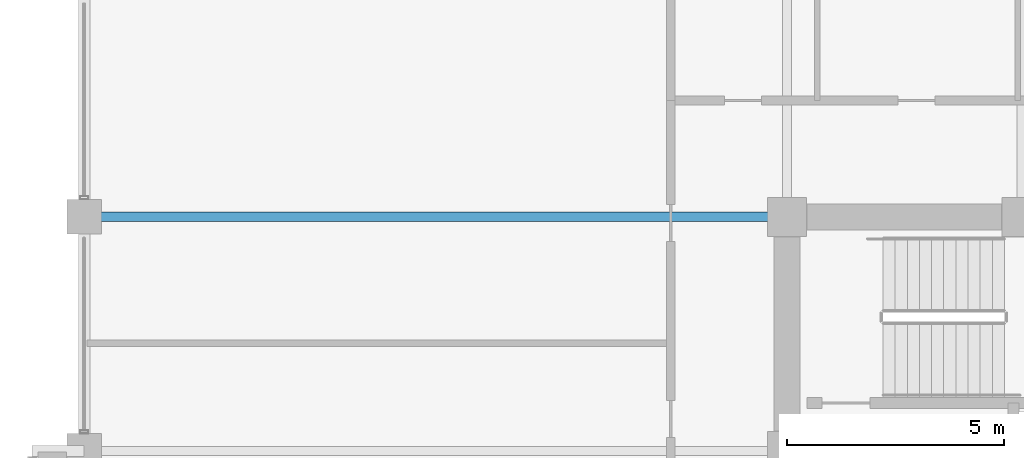
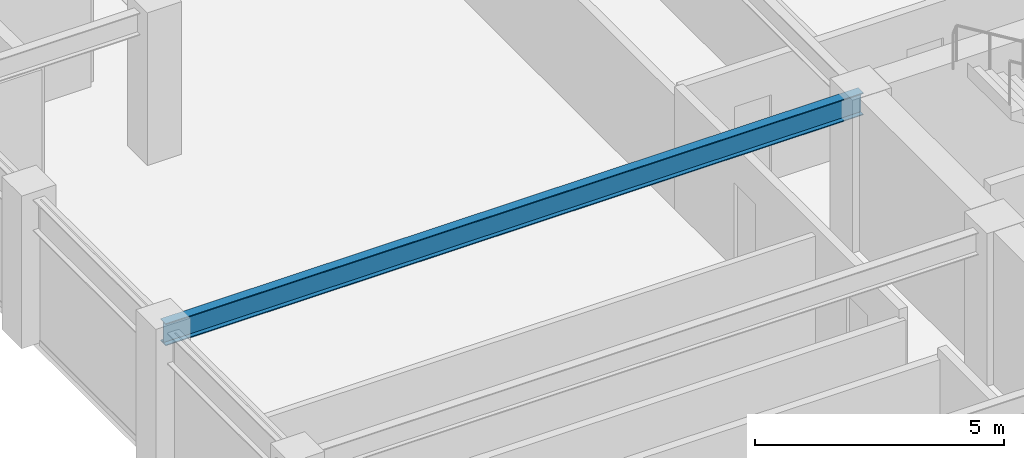
# One storey, part 17 of 32: 1 beam.
"""IFC4 building model written with IfcOpenShell, lengths in metres."""

from ifc_helpers import new_model, si_unit, direction, frame, origin, origin_2d, place, context, subcontext, project, spatial, i_section, extrude, material, material_profile, profile_set, type_object, element, save


model = new_model("IFC4")

# Units and contexts
model_context = context("Model", 3, precision=1e-05, world=origin(), true_north=direction((0.0, 1.0)))
body_context = subcontext(model_context, "Body", "Model", "MODEL_VIEW")
ifc_project = project(units=[si_unit("LENGTHUNIT", "METRE"), si_unit("AREAUNIT", "SQUARE_METRE"), si_unit("VOLUMEUNIT", "CUBIC_METRE"), si_unit("PLANEANGLEUNIT", "RADIAN"), si_unit("MASSUNIT", "GRAM", prefix="KILO")], contexts=[model_context])

# Site, building, storey
site_placement = place(None, origin())
site = spatial("IfcSite", under=ifc_project, at=site_placement, CompositionType="ELEMENT")
building_placement = place(site_placement, origin())
building = spatial("IfcBuilding", under=site, at=building_placement, Name="Surkhivell Harbour Commons", CompositionType="ELEMENT")
storey_placement = place(building_placement, frame((0.0, 0.0, 234.75)))
storey = spatial("IfcBuildingStorey", under=building, at=storey_placement, Name="L61", CompositionType="ELEMENT", Elevation=234.75)

# Beam
ifc_material = material(Name="Steel S355", Category="steel")
ifc_material_profile = material_profile(ifc_material, i_section(OverallWidth=0.2119140625, OverallDepth=0.5439453125, WebThickness=0.0126953125, FlangeThickness=0.021240234375, at=origin_2d()), Name="UB533x210x122")
ifc_profile_set = profile_set([ifc_material_profile], Name="Steel S355")
beam_type = type_object("IfcBeamType", Name="BM-GRD-533A", PredefinedType="BEAM", material=ifc_profile_set)
beam_placement = place(storey_placement, frame((-27.0, 10.800048828125, 3.298095703125), z_axis=(1.0, 0.0, 0.0), x_axis=(0.0, 1.0, 0.0)))
element("IfcBeam", 1, at=beam_placement, inside=storey, type_object=beam_type, Name="L61 Floor Girder (-27.0,10.8)", PredefinedType="BEAM", context=body_context, shape_type="SweptSolid", body=[
    extrude(i_section(OverallWidth=0.2119140625, OverallDepth=0.5439453125, WebThickness=0.0126953125, FlangeThickness=0.021240234375, at=origin_2d()), origin(), (0.0, 0.0, 1.0), 16.199951171875),
])

save(model, "model.ifc")
